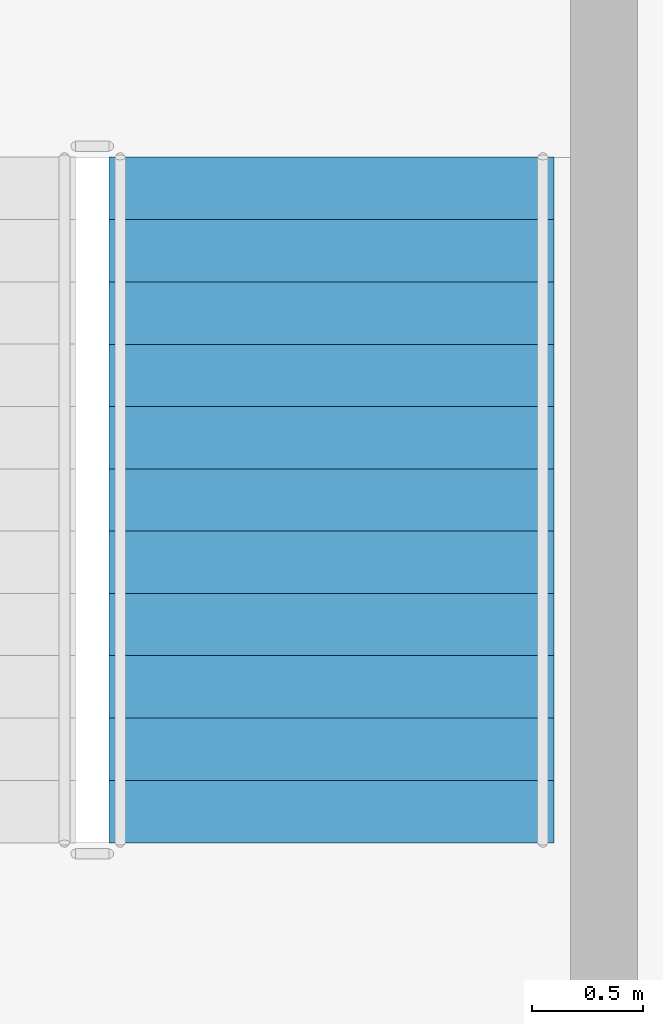
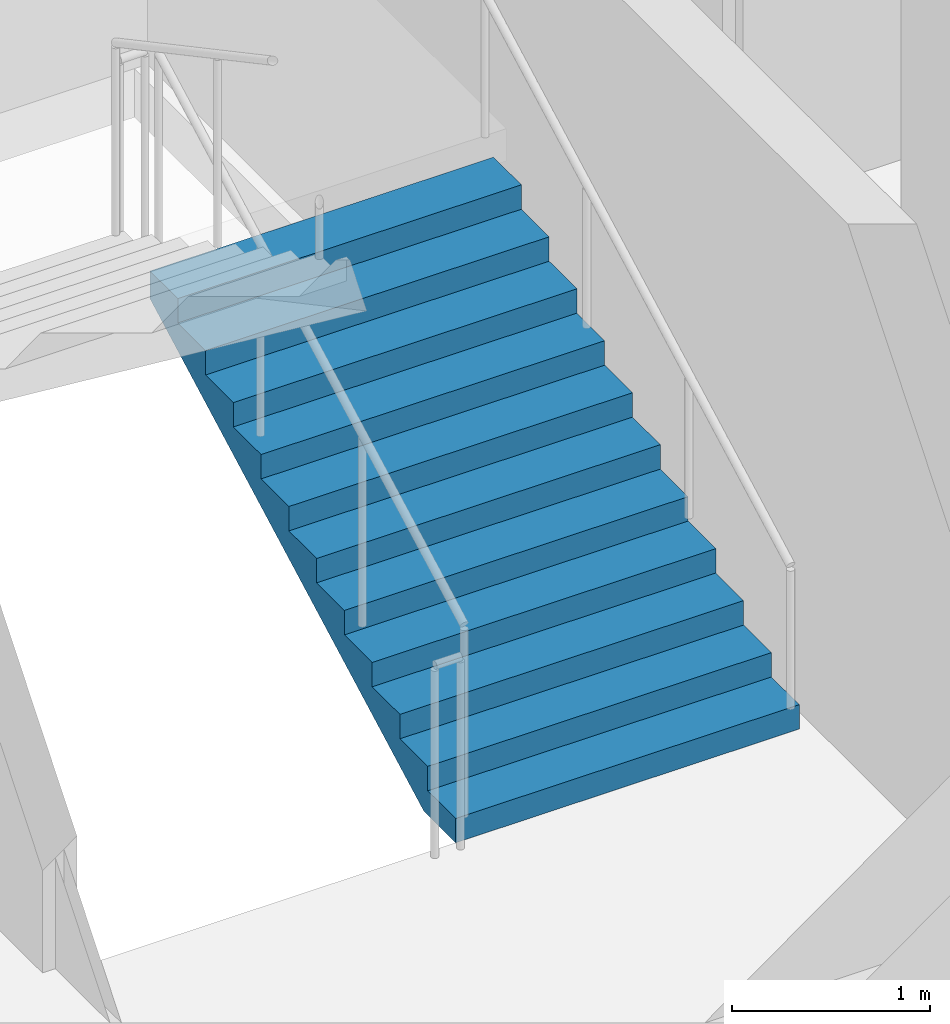
# One storey, part 12 of 15: 1 stair flight, 1 element without a shape of its own.
"""IFC4 building model written with IfcOpenShell, lengths in metres."""

from ifc_helpers import new_model, si_unit, direction, frame, origin, place, context, subcontext, project, spatial, polygons, material, type_object, element, aggregate, save


model = new_model("IFC4")

# Units and contexts
model_context = context("Model", 3, precision=1e-05, world=origin(), true_north=direction((0.0, 1.0)))
body_context = subcontext(model_context, "Body", "Model", "MODEL_VIEW")
ifc_project = project(units=[si_unit("LENGTHUNIT", "METRE"), si_unit("AREAUNIT", "SQUARE_METRE"), si_unit("VOLUMEUNIT", "CUBIC_METRE"), si_unit("PLANEANGLEUNIT", "RADIAN"), si_unit("MASSUNIT", "GRAM", prefix="KILO")], contexts=[model_context])

# Site, building, storey
site_placement = place(None, origin())
site = spatial("IfcSite", under=ifc_project, at=site_placement, CompositionType="ELEMENT")
building_placement = place(site_placement, origin())
building = spatial("IfcBuilding", under=site, at=building_placement, Name="Caravel Reach Hotel and Residences", CompositionType="ELEMENT")
storey_placement = place(building_placement, frame((0.0, 0.0, 104.39990234375)))
storey = spatial("IfcBuildingStorey", under=building, at=storey_placement, Name="L25", CompositionType="ELEMENT", Elevation=104.39990234375)

# Stair, stair flight
ifc_material_1 = material(Name="Concrete C40", Category="concrete")
stair_type = type_object("IfcStairType", Name="Core stair", PredefinedType="HALF_TURN_STAIR", material=ifc_material_1)
stair_placement = place(storey_placement, origin())
stair = element("IfcStair", 1, at=stair_placement, inside=storey, type_object=stair_type, Name="L25 Exit stair B", PredefinedType="HALF_TURN_STAIR")
ifc_material_2 = material(Name="Concrete C40", Category="concrete")
stair_flight_type = type_object("IfcStairFlightType", Name="Core stair flight", PredefinedType="STRAIGHT", material=ifc_material_2)
stair_flight_placement = place(storey_placement, frame((43.77490234375, 24.64990234375, 0.0), z_axis=(0.0, 0.0, 1.0), x_axis=(0.0, 1.0, 0.0)))
stair_flight = element("IfcStairFlight", 2, at=stair_flight_placement, type_object=stair_flight_type, Name="ST-B flight 1", NumberOfRisers=12, NumberOfTreads=11, PredefinedType="STRAIGHT", RiserHeight=0.15, TreadLength=0.28, context=body_context, shape_type="Tessellation", body=[
    polygons([(0.3174408016601862, 1.0, 0.0), (0.3174408016601862, 0.6666666666666667, 0.0), (0.3174408016601862, 0.33333333333333337, 0.0), (0.3174408016601862, 0.0, 0.0), (0.3174408016601862, -0.33333333333333326, 0.0), (0.3174408016601862, -0.6666666666666667, 0.0), (0.3174408016601862, -1.0, 0.0), (3.081, 1.0, 1.479942427682043), (3.081, 0.6666666666666667, 1.479942427682043), (3.081, 0.33333333333333337, 1.479942427682043), (3.081, 0.0, 1.479942427682043), (3.081, -0.33333333333333326, 1.479942427682043), (3.081, -0.6666666666666667, 1.479942427682043), (3.081, -1.0, 1.479942427682043), (3.081, 1.0, 1.65), (3.081, 0.6666666666666667, 1.65), (3.081, 0.33333333333333337, 1.65), (3.081, 0.0, 1.65), (3.081, -0.33333333333333326, 1.65), (3.081, -0.6666666666666667, 1.65), (3.081, -1.0, 1.65), (2.8000000000000003, 1.0, 1.65), (2.8000000000000003, 0.6666666666666667, 1.65), (2.8000000000000003, 0.33333333333333337, 1.65), (2.8000000000000003, 0.0, 1.65), (2.8000000000000003, -0.33333333333333326, 1.65), (2.8000000000000003, -0.6666666666666667, 1.65), (2.8000000000000003, -1.0, 1.65), (2.8000000000000003, 1.0, 1.5), (2.8000000000000003, 0.6666666666666667, 1.5), (2.8000000000000003, 0.33333333333333337, 1.5), (2.8000000000000003, 0.0, 1.5), (2.8000000000000003, -0.33333333333333326, 1.5), (2.8000000000000003, -0.6666666666666667, 1.5), (2.8000000000000003, -1.0, 1.5), (2.5200000000000005, 1.0, 1.5), (2.5200000000000005, 0.6666666666666667, 1.5), (2.5200000000000005, 0.33333333333333337, 1.5), (2.5200000000000005, 0.0, 1.5), (2.5200000000000005, -0.33333333333333326, 1.5), (2.5200000000000005, -0.6666666666666667, 1.5), (2.5200000000000005, -1.0, 1.5), (2.5200000000000005, 1.0, 1.3499999999999999), (2.5200000000000005, 0.6666666666666667, 1.3499999999999999), (2.5200000000000005, 0.33333333333333337, 1.3499999999999999), (2.5200000000000005, 0.0, 1.3499999999999999), (2.5200000000000005, -0.33333333333333326, 1.3499999999999999), (2.5200000000000005, -0.6666666666666667, 1.3499999999999999), (2.5200000000000005, -1.0, 1.3499999999999999), (2.24, 1.0, 1.3499999999999999), (2.24, 0.6666666666666667, 1.3499999999999999), (2.24, 0.33333333333333337, 1.3499999999999999), (2.24, 0.0, 1.3499999999999999), (2.24, -0.33333333333333326, 1.3499999999999999), (2.24, -0.6666666666666667, 1.3499999999999999), (2.24, -1.0, 1.3499999999999999), (2.24, 1.0, 1.2), (2.24, 0.6666666666666667, 1.2), (2.24, 0.33333333333333337, 1.2), (2.24, 0.0, 1.2), (2.24, -0.33333333333333326, 1.2), (2.24, -0.6666666666666667, 1.2), (2.24, -1.0, 1.2), (1.9600000000000002, 1.0, 1.2), (1.9600000000000002, 0.6666666666666667, 1.2), (1.9600000000000002, 0.33333333333333337, 1.2), (1.9600000000000002, 0.0, 1.2), (1.9600000000000002, -0.33333333333333326, 1.2), (1.9600000000000002, -0.6666666666666667, 1.2), (1.9600000000000002, -1.0, 1.2), (1.9600000000000002, 1.0, 1.05), (1.9600000000000002, 0.6666666666666667, 1.05), (1.9600000000000002, 0.33333333333333337, 1.05), (1.9600000000000002, 0.0, 1.05), (1.9600000000000002, -0.33333333333333326, 1.05), (1.9600000000000002, -0.6666666666666667, 1.05), (1.9600000000000002, -1.0, 1.05), (1.6800000000000002, 1.0, 1.05), (1.6800000000000002, 0.6666666666666667, 1.05), (1.6800000000000002, 0.33333333333333337, 1.05), (1.6800000000000002, 0.0, 1.05), (1.6800000000000002, -0.33333333333333326, 1.05), (1.6800000000000002, -0.6666666666666667, 1.05), (1.6800000000000002, -1.0, 1.05), (1.6800000000000002, 1.0, 0.8999999999999999), (1.6800000000000002, 0.6666666666666667, 0.8999999999999999), (1.6800000000000002, 0.33333333333333337, 0.8999999999999999), (1.6800000000000002, 0.0, 0.8999999999999999), (1.6800000000000002, -0.33333333333333326, 0.8999999999999999), (1.6800000000000002, -0.6666666666666667, 0.8999999999999999), (1.6800000000000002, -1.0, 0.8999999999999999), (1.4000000000000001, 1.0, 0.8999999999999999), (1.4000000000000001, 0.6666666666666667, 0.8999999999999999), (1.4000000000000001, 0.33333333333333337, 0.8999999999999999), (1.4000000000000001, 0.0, 0.8999999999999999), (1.4000000000000001, -0.33333333333333326, 0.8999999999999999), (1.4000000000000001, -0.6666666666666667, 0.8999999999999999), (1.4000000000000001, -1.0, 0.8999999999999999), (1.4000000000000001, 1.0, 0.75), (1.4000000000000001, 0.6666666666666667, 0.75), (1.4000000000000001, 0.33333333333333337, 0.75), (1.4000000000000001, 0.0, 0.75), (1.4000000000000001, -0.33333333333333326, 0.75), (1.4000000000000001, -0.6666666666666667, 0.75), (1.4000000000000001, -1.0, 0.75), (1.12, 1.0, 0.75), (1.12, 0.6666666666666667, 0.75), (1.12, 0.33333333333333337, 0.75), (1.12, 0.0, 0.75), (1.12, -0.33333333333333326, 0.75), (1.12, -0.6666666666666667, 0.75), (1.12, -1.0, 0.75), (1.12, 1.0, 0.6), (1.12, 0.6666666666666667, 0.6), (1.12, 0.33333333333333337, 0.6), (1.12, 0.0, 0.6), (1.12, -0.33333333333333326, 0.6), (1.12, -0.6666666666666667, 0.6), (1.12, -1.0, 0.6), (0.8400000000000001, 1.0, 0.6), (0.8400000000000001, 0.6666666666666667, 0.6), (0.8400000000000001, 0.33333333333333337, 0.6), (0.8400000000000001, 0.0, 0.6), (0.8400000000000001, -0.33333333333333326, 0.6), (0.8400000000000001, -0.6666666666666667, 0.6), (0.8400000000000001, -1.0, 0.6), (0.8400000000000001, 1.0, 0.44999999999999996), (0.8400000000000001, 0.6666666666666667, 0.44999999999999996), (0.8400000000000001, 0.33333333333333337, 0.44999999999999996), (0.8400000000000001, 0.0, 0.44999999999999996), (0.8400000000000001, -0.33333333333333326, 0.44999999999999996), (0.8400000000000001, -0.6666666666666667, 0.44999999999999996), (0.8400000000000001, -1.0, 0.44999999999999996), (0.56, 1.0, 0.44999999999999996), (0.56, 0.6666666666666667, 0.44999999999999996), (0.56, 0.33333333333333337, 0.44999999999999996), (0.56, 0.0, 0.44999999999999996), (0.56, -0.33333333333333326, 0.44999999999999996), (0.56, -0.6666666666666667, 0.44999999999999996), (0.56, -1.0, 0.44999999999999996), (0.56, 1.0, 0.3), (0.56, 0.6666666666666667, 0.3), (0.56, 0.33333333333333337, 0.3), (0.56, 0.0, 0.3), (0.56, -0.33333333333333326, 0.3), (0.56, -0.6666666666666667, 0.3), (0.56, -1.0, 0.3), (0.28, 1.0, 0.3), (0.28, 0.6666666666666667, 0.3), (0.28, 0.33333333333333337, 0.3), (0.28, 0.0, 0.3), (0.28, -0.33333333333333326, 0.3), (0.28, -0.6666666666666667, 0.3), (0.28, -1.0, 0.3), (0.28, 1.0, 0.15), (0.28, 0.6666666666666667, 0.15), (0.28, 0.33333333333333337, 0.15), (0.28, 0.0, 0.15), (0.28, -0.33333333333333326, 0.15), (0.28, -0.6666666666666667, 0.15), (0.28, -1.0, 0.15), (-0.001, 1.0, 0.15), (-0.001, 0.6666666666666667, 0.15), (-0.001, 0.33333333333333337, 0.15), (-0.001, 0.0, 0.15), (-0.001, -0.33333333333333326, 0.15), (-0.001, -0.6666666666666667, 0.15), (-0.001, -1.0, 0.15), (-0.001, 1.0, 0.0), (-0.001, 0.6666666666666667, 0.0), (-0.001, 0.33333333333333337, 0.0), (-0.001, 0.0, 0.0), (-0.001, -0.33333333333333326, 0.0), (-0.001, -0.6666666666666667, 0.0), (-0.001, -1.0, 0.0)], [[[169, 162, 155, 148, 141, 134, 127, 120, 113, 106, 99, 92, 85, 78, 71, 64, 57, 50, 43, 36, 29, 22, 15, 8, 1]], [[7, 14, 21, 28, 35, 42, 49, 56, 63, 70, 77, 84, 91, 98, 105, 112, 119, 126, 133, 140, 147, 154, 161, 168, 175]], [[1, 8, 9, 2]], [[2, 9, 10, 3]], [[3, 10, 11, 4]], [[4, 11, 12, 5]], [[5, 12, 13, 6]], [[6, 13, 14, 7]], [[8, 15, 16, 9]], [[9, 16, 17, 10]], [[10, 17, 18, 11]], [[11, 18, 19, 12]], [[12, 19, 20, 13]], [[13, 20, 21, 14]], [[15, 22, 23, 16]], [[16, 23, 24, 17]], [[17, 24, 25, 18]], [[18, 25, 26, 19]], [[19, 26, 27, 20]], [[20, 27, 28, 21]], [[22, 29, 30, 23]], [[23, 30, 31, 24]], [[24, 31, 32, 25]], [[25, 32, 33, 26]], [[26, 33, 34, 27]], [[27, 34, 35, 28]], [[29, 36, 37, 30]], [[30, 37, 38, 31]], [[31, 38, 39, 32]], [[32, 39, 40, 33]], [[33, 40, 41, 34]], [[34, 41, 42, 35]], [[36, 43, 44, 37]], [[37, 44, 45, 38]], [[38, 45, 46, 39]], [[39, 46, 47, 40]], [[40, 47, 48, 41]], [[41, 48, 49, 42]], [[43, 50, 51, 44]], [[44, 51, 52, 45]], [[45, 52, 53, 46]], [[46, 53, 54, 47]], [[47, 54, 55, 48]], [[48, 55, 56, 49]], [[50, 57, 58, 51]], [[51, 58, 59, 52]], [[52, 59, 60, 53]], [[53, 60, 61, 54]], [[54, 61, 62, 55]], [[55, 62, 63, 56]], [[57, 64, 65, 58]], [[58, 65, 66, 59]], [[59, 66, 67, 60]], [[60, 67, 68, 61]], [[61, 68, 69, 62]], [[62, 69, 70, 63]], [[64, 71, 72, 65]], [[65, 72, 73, 66]], [[66, 73, 74, 67]], [[67, 74, 75, 68]], [[68, 75, 76, 69]], [[69, 76, 77, 70]], [[71, 78, 79, 72]], [[72, 79, 80, 73]], [[73, 80, 81, 74]], [[74, 81, 82, 75]], [[75, 82, 83, 76]], [[76, 83, 84, 77]], [[78, 85, 86, 79]], [[79, 86, 87, 80]], [[80, 87, 88, 81]], [[81, 88, 89, 82]], [[82, 89, 90, 83]], [[83, 90, 91, 84]], [[85, 92, 93, 86]], [[86, 93, 94, 87]], [[87, 94, 95, 88]], [[88, 95, 96, 89]], [[89, 96, 97, 90]], [[90, 97, 98, 91]], [[92, 99, 100, 93]], [[93, 100, 101, 94]], [[94, 101, 102, 95]], [[95, 102, 103, 96]], [[96, 103, 104, 97]], [[97, 104, 105, 98]], [[99, 106, 107, 100]], [[100, 107, 108, 101]], [[101, 108, 109, 102]], [[102, 109, 110, 103]], [[103, 110, 111, 104]], [[104, 111, 112, 105]], [[106, 113, 114, 107]], [[107, 114, 115, 108]], [[108, 115, 116, 109]], [[109, 116, 117, 110]], [[110, 117, 118, 111]], [[111, 118, 119, 112]], [[113, 120, 121, 114]], [[114, 121, 122, 115]], [[115, 122, 123, 116]], [[116, 123, 124, 117]], [[117, 124, 125, 118]], [[118, 125, 126, 119]], [[120, 127, 128, 121]], [[121, 128, 129, 122]], [[122, 129, 130, 123]], [[123, 130, 131, 124]], [[124, 131, 132, 125]], [[125, 132, 133, 126]], [[127, 134, 135, 128]], [[128, 135, 136, 129]], [[129, 136, 137, 130]], [[130, 137, 138, 131]], [[131, 138, 139, 132]], [[132, 139, 140, 133]], [[134, 141, 142, 135]], [[135, 142, 143, 136]], [[136, 143, 144, 137]], [[137, 144, 145, 138]], [[138, 145, 146, 139]], [[139, 146, 147, 140]], [[141, 148, 149, 142]], [[142, 149, 150, 143]], [[143, 150, 151, 144]], [[144, 151, 152, 145]], [[145, 152, 153, 146]], [[146, 153, 154, 147]], [[148, 155, 156, 149]], [[149, 156, 157, 150]], [[150, 157, 158, 151]], [[151, 158, 159, 152]], [[152, 159, 160, 153]], [[153, 160, 161, 154]], [[155, 162, 163, 156]], [[156, 163, 164, 157]], [[157, 164, 165, 158]], [[158, 165, 166, 159]], [[159, 166, 167, 160]], [[160, 167, 168, 161]], [[162, 169, 170, 163]], [[163, 170, 171, 164]], [[164, 171, 172, 165]], [[165, 172, 173, 166]], [[166, 173, 174, 167]], [[167, 174, 175, 168]], [[169, 1, 2, 170]], [[170, 2, 3, 171]], [[171, 3, 4, 172]], [[172, 4, 5, 173]], [[173, 5, 6, 174]], [[174, 6, 7, 175]]], closed=True),
])
aggregate(stair, [stair_flight])

save(model, "model.ifc")
